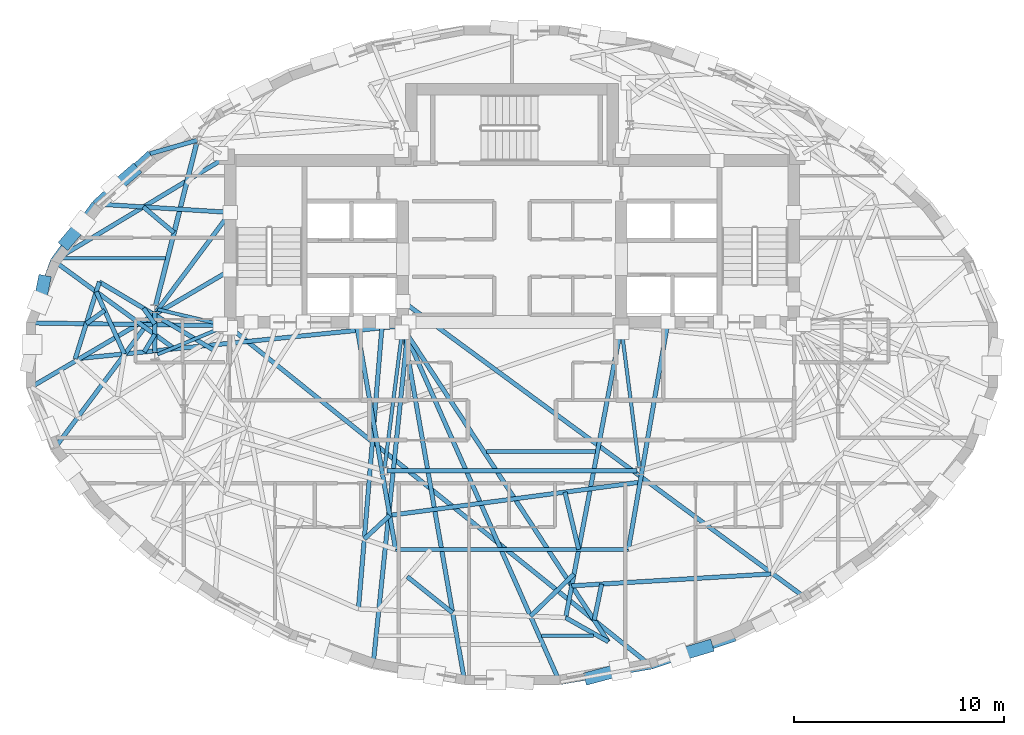
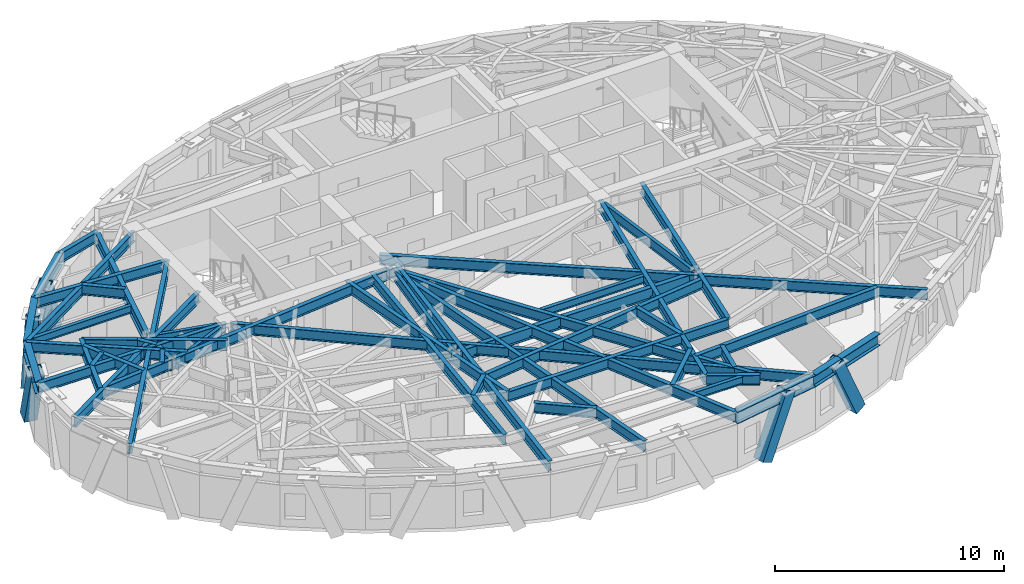
# One storey, part 2 of 13: 49 beams, 5 members.
"""IFC4 building model written with IfcOpenShell, lengths in metres."""

from ifc_helpers import new_model, si_unit, direction, frame, origin, origin_2d, place, context, subcontext, project, spatial, hollow_rectangle, i_section, extrude, material, material_profile, profile_set, type_object, element, save


model = new_model("IFC4")

# Units and contexts
model_context = context("Model", 3, precision=1e-05, world=origin(), true_north=direction((0.0, 1.0)))
body_context = subcontext(model_context, "Body", "Model", "MODEL_VIEW")
ifc_project = project(units=[si_unit("LENGTHUNIT", "METRE"), si_unit("AREAUNIT", "SQUARE_METRE"), si_unit("VOLUMEUNIT", "CUBIC_METRE"), si_unit("PLANEANGLEUNIT", "RADIAN"), si_unit("MASSUNIT", "GRAM", prefix="KILO")], contexts=[model_context])

# Site, building, storey
site_placement = place(None, origin())
site = spatial("IfcSite", under=ifc_project, at=site_placement, CompositionType="ELEMENT")
building_placement = place(site_placement, origin())
building = spatial("IfcBuilding", under=site, at=building_placement, Name="Keldmark Tower", CompositionType="ELEMENT")
storey_placement = place(building_placement, frame((0.0, 0.0, 219.449951171875)))
storey = spatial("IfcBuildingStorey", under=building, at=storey_placement, Name="L61", CompositionType="ELEMENT", Elevation=219.449951171875)

# Beams
ifc_material_1 = material(Name="Steel ASTM A992 Grade 50", Category="steel")
ifc_material_profile_1 = material_profile(ifc_material_1, i_section(OverallWidth=0.177978515625, OverallDepth=0.403076171875, WebThickness=0.007568359375, FlangeThickness=0.010986328125, at=origin_2d()), Name="W16X36")
ifc_profile_set_1 = profile_set([ifc_material_profile_1], Name="Steel ASTM A992 Grade 50")
beam_type_1 = type_object("IfcBeamType", Name="Composite Floor Joist W16X36", PredefinedType="JOIST", material=ifc_profile_set_1)
beam_1_placement = place(storey_placement, frame((1.40234375, -13.3798828125, 2.7685546875), z_axis=(1.0, 0.0, 0.0), x_axis=(0.0, 1.0, 0.0)))
element("IfcBeam", 1, at=beam_1_placement, inside=storey, type_object=beam_type_1, Name="L61 Composite Floor Joist J03", PredefinedType="JOIST", context=body_context, shape_type="SweptSolid", body=[
    extrude(i_section(OverallWidth=0.177978515625, OverallDepth=0.403076171875, WebThickness=0.007568359375, FlangeThickness=0.010986328125, at=origin_2d()), origin(), (0.0, 0.0, 1.0), 2.484375),
])
beam_2_placement = place(storey_placement, frame((-1.223876953125, -4.60009765625, 2.7685546875), z_axis=(1.0, 0.0, 0.0), x_axis=(0.0, 1.0, 0.0)))
element("IfcBeam", 2, at=beam_2_placement, inside=storey, type_object=beam_type_1, Name="L61 Composite Floor Joist J06", PredefinedType="JOIST", context=body_context, shape_type="SweptSolid", body=[
    extrude(i_section(OverallWidth=0.177978515625, OverallDepth=0.403076171875, WebThickness=0.007568359375, FlangeThickness=0.010986328125, at=origin_2d()), origin(), (0.0, 0.0, 1.0), 5.197998046875),
])
beam_3_placement = place(storey_placement, frame((-21.4375, 4.6201171875, 2.7685546875), z_axis=(1.0, 0.0, 0.0), x_axis=(0.0, 1.0, 0.0)))
element("IfcBeam", 3, at=beam_3_placement, inside=storey, type_object=beam_type_1, Name="L61 Composite Floor Joist J07", PredefinedType="JOIST", context=body_context, shape_type="SweptSolid", body=[
    extrude(i_section(OverallWidth=0.177978515625, OverallDepth=0.403076171875, WebThickness=0.007568359375, FlangeThickness=0.010986328125, at=origin_2d()), origin(), (0.0, 0.0, 1.0), 4.91259765625),
])

# Members
ifc_material_2 = material(Name="Steel ASTM A572 Grade 50", Category="steel")
ifc_material_profile_2 = material_profile(ifc_material_2, hollow_rectangle(XDim=0.60009765625, YDim=0.60009765625, WallThickness=0.034912109375, at=origin_2d()), Name="BOX600X600X35")
ifc_profile_set_2 = profile_set([ifc_material_profile_2], Name="Steel ASTM A572 Grade 50")
member_type = type_object("IfcMemberType", Name="Diagrid Zone 4 Brace BOX600X600X35", PredefinedType="BRACE", material=ifc_profile_set_2)
member_1_placement = place(storey_placement, frame((-18.051513671875, 8.747802734375, -0.260009765625), z_axis=(-0.271056056456, -0.234783348171, 0.933490971397), x_axis=(0.654720463348, -0.755871096731, 0.0)))
element("IfcMember", 4, at=member_1_placement, inside=storey, type_object=member_type, Name="L61 Perimeter Diagrid Brace 07A", PredefinedType="BRACE", context=body_context, shape_type="SweptSolid", body=[
    extrude(hollow_rectangle(XDim=0.60009765625, YDim=0.60009765625, WallThickness=0.034912109375, at=origin_2d()), origin(), (0.0, 0.0, 1.0), 3.331787109375),
])
member_2_placement = place(storey_placement, frame((-21.226318359375, 5.389404296875, -0.260009765625), z_axis=(0.225555592394, 0.266164427033, 0.93716656605), x_axis=(-0.762906177168, 0.646509214814, 0.0)))
element("IfcMember", 5, at=member_2_placement, inside=storey, type_object=member_type, Name="L61 Perimeter Diagrid Brace 07B", PredefinedType="BRACE", context=body_context, shape_type="SweptSolid", body=[
    extrude(hollow_rectangle(XDim=0.60009765625, YDim=0.60009765625, WallThickness=0.034912109375, at=origin_2d()), origin(), (0.0, 0.0, 1.0), 3.318603515625),
])
member_3_placement = place(storey_placement, frame((-22.309326171875, 3.51171875, -0.260009765625), z_axis=(-0.06184838902, -0.308347751522, 0.949260997254), x_axis=(0.980471164817, -0.196662896761, 0.0)))
element("IfcMember", 6, at=member_3_placement, inside=storey, type_object=member_type, Name="L61 Perimeter Diagrid Brace 08A", PredefinedType="BRACE", context=body_context, shape_type="SweptSolid", body=[
    extrude(hollow_rectangle(XDim=0.60009765625, YDim=0.60009765625, WallThickness=0.034912109375, at=origin_2d()), origin(), (0.0, 0.0, 1.0), 3.2763671875),
])
member_4_placement = place(storey_placement, frame((3.736328125, -15.37841796875, -0.260009765625), z_axis=(0.414603232575, 0.110192136724, 0.903306068031), x_axis=(-0.256860118169, 0.966448591335, 0.0)))
element("IfcMember", 7, at=member_4_placement, inside=storey, type_object=member_type, Name="L61 Perimeter Diagrid Brace 13A", PredefinedType="BRACE", context=body_context, shape_type="SweptSolid", body=[
    extrude(hollow_rectangle(XDim=0.60009765625, YDim=0.60009765625, WallThickness=0.034912109375, at=origin_2d()), origin(), (0.0, 0.0, 1.0), 3.443115234375),
])
member_5_placement = place(storey_placement, frame((9.294189453125, -13.905517578125, -0.260009765625), z_axis=(-0.396238921214, -0.11842855203, 0.910477564457), x_axis=(0.286364714613, -0.95812068667, 0.0)))
element("IfcMember", 8, at=member_5_placement, inside=storey, type_object=member_type, Name="L61 Perimeter Diagrid Brace 13B", PredefinedType="BRACE", context=body_context, shape_type="SweptSolid", body=[
    extrude(hollow_rectangle(XDim=0.60009765625, YDim=0.60009765625, WallThickness=0.034912109375, at=origin_2d()), origin(), (0.0, 0.0, 1.0), 3.416015625),
])

# Beams
ifc_material_3 = material(Name="Steel ASTM A992 Grade 50", Category="steel")
ifc_material_profile_3 = material_profile(ifc_material_3, i_section(OverallWidth=0.22802734375, OverallDepth=0.60302734375, WebThickness=0.010498046875, FlangeThickness=0.014892578125, at=origin_2d()), Name="W24X68")
ifc_profile_set_3 = profile_set([ifc_material_profile_3], Name="Steel ASTM A992 Grade 50")
beam_type_2 = type_object("IfcBeamType", Name="Primary Floor Girder W24X68", PredefinedType="BEAM", material=ifc_profile_set_3)
beam_4_placement = place(storey_placement, frame((-15.030029296875, 10.10791015625, 2.66845703125), z_axis=(-0.244902129455, -0.969547805417, 0.0), x_axis=(0.969547805417, -0.244902129455, 0.0)))
element("IfcBeam", 9, at=beam_4_placement, inside=storey, type_object=beam_type_2, Name="L61 Floor Ring Girder FG-R05", PredefinedType="BEAM", context=body_context, shape_type="SweptSolid", body=[
    extrude(i_section(OverallWidth=0.22802734375, OverallDepth=0.60302734375, WebThickness=0.010498046875, FlangeThickness=0.014892578125, at=origin_2d()), origin(), (0.0, 0.0, 1.0), 8.008056640625),
])
beam_5_placement = place(storey_placement, frame((-17.025634765625, 2.068115234375, 2.66845703125), z_axis=(0.0, -1.0, 0.0), x_axis=(1.0, 0.0, 0.0)))
element("IfcBeam", 10, at=beam_5_placement, inside=storey, type_object=beam_type_2, Name="L61 Floor Ring Girder FG-R06", PredefinedType="BEAM", context=body_context, shape_type="SweptSolid", body=[
    extrude(i_section(OverallWidth=0.22802734375, OverallDepth=0.60302734375, WebThickness=0.010498046875, FlangeThickness=0.014892578125, at=origin_2d()), origin(), (0.0, 0.0, 1.0), 1.9521484375),
])
beam_6_placement = place(storey_placement, frame((-5.949462890625, -5.512939453125, 2.66845703125), z_axis=(1.0, 0.0, 0.0), x_axis=(0.0, 1.0, 0.0)))
element("IfcBeam", 11, at=beam_6_placement, inside=storey, type_object=beam_type_2, Name="L61 Floor Ring Girder FG-R09", PredefinedType="BEAM", context=body_context, shape_type="SweptSolid", body=[
    extrude(i_section(OverallWidth=0.22802734375, OverallDepth=0.60302734375, WebThickness=0.010498046875, FlangeThickness=0.014892578125, at=origin_2d()), origin(), (0.0, 0.0, 1.0), 11.89892578125),
])
ifc_material_4 = material(Name="Steel ASTM A992 Grade 50", Category="steel")
ifc_material_profile_4 = material_profile(ifc_material_4, i_section(OverallWidth=0.166015625, OverallDepth=0.529052734375, WebThickness=0.009765625, FlangeThickness=0.013671875, at=origin_2d()), Name="W21X50")
ifc_profile_set_4 = profile_set([ifc_material_profile_4], Name="Steel ASTM A992 Grade 50")
beam_type_3 = type_object("IfcBeamType", Name="Radial Tie Girder W21X50", PredefinedType="BEAM", material=ifc_profile_set_4)
beam_7_placement = place(storey_placement, frame((-16.889404296875, 2.17578125, 2.70556640625), z_axis=(0.97329039005, -0.229577474147, 0.0), x_axis=(0.229577474147, 0.97329039005, 0.0)))
element("IfcBeam", 12, at=beam_7_placement, inside=storey, type_object=beam_type_3, Name="L61 Floor Radial Girder FG-C06", PredefinedType="BEAM", context=body_context, shape_type="SweptSolid", body=[
    extrude(i_section(OverallWidth=0.166015625, OverallDepth=0.529052734375, WebThickness=0.009765625, FlangeThickness=0.013671875, at=origin_2d()), origin(), (0.0, 0.0, 1.0), 3.0595703125),
])
beam_8_placement = place(storey_placement, frame((-16.896240234375, 0.02978515625, 2.70556640625), z_axis=(0.923403331902, 0.383831065226, 0.0), x_axis=(-0.383831065226, 0.923403331902, 0.0)))
element("IfcBeam", 13, at=beam_8_placement, inside=storey, type_object=beam_type_3, Name="L61 Floor Radial Girder FG-C07", PredefinedType="BEAM", context=body_context, shape_type="SweptSolid", body=[
    extrude(i_section(OverallWidth=0.166015625, OverallDepth=0.529052734375, WebThickness=0.009765625, FlangeThickness=0.013671875, at=origin_2d()), origin(), (0.0, 0.0, 1.0), 3.249755859375),
])
for number, where, z_axis, x_axis, name in (
    (14, (-6.071533203125, -5.3740234375, 2.70556640625), (0.127625044513, 0.991822488157, 0.0), (-0.991822488157, 0.127625044513, 0.0), "L61 Floor Radial Girder FG-C09"),
    (15, (6.071533203125, -5.3740234375, 2.70556640625), (-0.127625044513, 0.991822488157, 0.0), (-0.991822488157, -0.127625044513, 0.0), "L61 Floor Radial Girder FG-C10"),
):
    element("IfcBeam", number, at=place(storey_placement, frame(where, z_axis=z_axis, x_axis=x_axis)), inside=storey, type_object=beam_type_3, Name=name, PredefinedType="BEAM", context=body_context, shape_type="SweptSolid", body=[
        extrude(i_section(OverallWidth=0.166015625, OverallDepth=0.529052734375, WebThickness=0.009765625, FlangeThickness=0.013671875, at=origin_2d()), origin(), (0.0, 0.0, 1.0), 6.509765625),
    ])
ifc_material_5 = material(Name="Steel ASTM A992 Grade 50", Category="steel")
ifc_material_profile_5 = material_profile(ifc_material_5, i_section(OverallWidth=0.2099609375, OverallDepth=0.537109375, WebThickness=0.010986328125, FlangeThickness=0.017333984375, at=origin_2d()), Name="W21X68")
ifc_profile_set_5 = profile_set([ifc_material_profile_5], Name="Steel ASTM A992 Grade 50")
beam_type_4 = type_object("IfcBeamType", Name="Radial Tie Girder W21X68", PredefinedType="BEAM", material=ifc_profile_set_5)
beam_9_placement = place(storey_placement, frame((-17.025634765625, 0.994384765625, 2.70166015625), z_axis=(-0.512445675076, -0.858719645807, 0.0), x_axis=(0.858719645807, -0.512445675076, 0.0)))
element("IfcBeam", 16, at=beam_9_placement, inside=storey, type_object=beam_type_4, Name="L61 Framing Pin Header PH-001", PredefinedType="BEAM", context=body_context, shape_type="SweptSolid", body=[
    extrude(i_section(OverallWidth=0.2099609375, OverallDepth=0.537109375, WebThickness=0.010986328125, FlangeThickness=0.017333984375, at=origin_2d()), origin(), (0.0, 0.0, 1.0), 0.9814453125),
])
beam_10_placement = place(storey_placement, frame((-5.199951171875, 1.39990234375, 2.70166015625), z_axis=(-0.994912802677, -0.100739838538, 0.0), x_axis=(0.100739838538, -0.994912802677, 0.0)))
element("IfcBeam", 17, at=beam_10_placement, inside=storey, type_object=beam_type_4, Name="L61 Sub-Ring Step Girder STP1-M07", PredefinedType="BEAM", context=body_context, shape_type="SweptSolid", body=[
    extrude(i_section(OverallWidth=0.2099609375, OverallDepth=0.537109375, WebThickness=0.010986328125, FlangeThickness=0.017333984375, at=origin_2d()), origin(), (0.0, 0.0, 1.0), 15.70166015625),
])
beam_11_placement = place(storey_placement, frame((-7.43212890625, 1.574951171875, 2.70166015625), z_axis=(0.171197930149, -0.985236656196, 0.0), x_axis=(0.985236656196, 0.171197930149, 0.0)))
element("IfcBeam", 18, at=beam_11_placement, inside=storey, type_object=beam_type_4, Name="L61 Sub-Ring Step Girder STP1-M09", PredefinedType="BEAM", context=body_context, shape_type="SweptSolid", body=[
    extrude(i_section(OverallWidth=0.2099609375, OverallDepth=0.537109375, WebThickness=0.010986328125, FlangeThickness=0.017333984375, at=origin_2d()), origin(), (0.0, 0.0, 1.0), 11.0048828125),
])
beam_12_placement = place(storey_placement, frame((-5.830810546875, -7.64111328125, 2.70166015625), z_axis=(0.991325730734, 0.131427910223, 0.0), x_axis=(-0.131427910223, 0.991325730734, 0.0)))
element("IfcBeam", 19, at=beam_12_placement, inside=storey, type_object=beam_type_4, Name="L61 Framing Pin Header PH-004", PredefinedType="BEAM", context=body_context, shape_type="SweptSolid", body=[
    extrude(i_section(OverallWidth=0.2099609375, OverallDepth=0.537109375, WebThickness=0.010986328125, FlangeThickness=0.017333984375, at=origin_2d()), origin(), (0.0, 0.0, 1.0), 12.041015625),
])
beam_13_placement = place(storey_placement, frame((7.43212890625, 1.574951171875, 2.70166015625), z_axis=(-0.171197930149, -0.985236656196, 0.0), x_axis=(0.985236656196, -0.171197930149, 0.0)))
element("IfcBeam", 20, at=beam_13_placement, inside=storey, type_object=beam_type_4, Name="L61 Sub-Ring Step Girder STP1-M10", PredefinedType="BEAM", context=body_context, shape_type="SweptSolid", body=[
    extrude(i_section(OverallWidth=0.2099609375, OverallDepth=0.537109375, WebThickness=0.010986328125, FlangeThickness=0.017333984375, at=origin_2d()), origin(), (0.0, 0.0, 1.0), 11.0048828125),
])
beam_14_placement = place(storey_placement, frame((-5.548095703125, -9.267578125, 2.70166015625), z_axis=(1.0, 0.0, 0.0), x_axis=(0.0, 1.0, 0.0)))
element("IfcBeam", 21, at=beam_14_placement, inside=storey, type_object=beam_type_4, Name="L61 Perimeter Collector Ring Beam CRG1-M09", PredefinedType="BEAM", context=body_context, shape_type="SweptSolid", body=[
    extrude(i_section(OverallWidth=0.2099609375, OverallDepth=0.537109375, WebThickness=0.010986328125, FlangeThickness=0.017333984375, at=origin_2d()), origin(), (0.0, 0.0, 1.0), 11.09619140625),
])
beam_15_placement = place(storey_placement, frame((-5.830810546875, -7.64111328125, 2.70166015625), z_axis=(-0.731143461262, -0.682223745595, 0.0), x_axis=(0.682223745595, -0.731143461262, 0.0)))
element("IfcBeam", 22, at=beam_15_placement, inside=storey, type_object=beam_type_4, Name="L61 Framing Pin Header PH-009", PredefinedType="BEAM", context=body_context, shape_type="SweptSolid", body=[
    extrude(i_section(OverallWidth=0.2099609375, OverallDepth=0.537109375, WebThickness=0.010986328125, FlangeThickness=0.017333984375, at=origin_2d()), origin(), (0.0, 0.0, 1.0), 1.656982421875),
])
beam_16_placement = place(storey_placement, frame((-6.1787109375, 1.574951171875, 2.70166015625), z_axis=(-0.083170599419, -0.996535323705, 0.0), x_axis=(0.996535323705, -0.083170599419, 0.0)))
element("IfcBeam", 23, at=beam_16_placement, inside=storey, type_object=beam_type_4, Name="L61 Sub-Ring Step Girder STP2-M09", PredefinedType="BEAM", context=body_context, shape_type="SweptSolid", body=[
    extrude(i_section(OverallWidth=0.2099609375, OverallDepth=0.537109375, WebThickness=0.010986328125, FlangeThickness=0.017333984375, at=origin_2d()), origin(), (0.0, 0.0, 1.0), 13.72607421875),
])
beam_17_placement = place(storey_placement, frame((2.52490234375, -6.533447265625, 2.70166015625), z_axis=(0.232899978698, -0.972500694047, 0.0), x_axis=(0.972500694047, 0.232899978698, 0.0)))
element("IfcBeam", 24, at=beam_17_placement, inside=storey, type_object=beam_type_4, Name="L61 Framing Pin Header PH-010", PredefinedType="BEAM", context=body_context, shape_type="SweptSolid", body=[
    extrude(i_section(OverallWidth=0.2099609375, OverallDepth=0.537109375, WebThickness=0.010986328125, FlangeThickness=0.017333984375, at=origin_2d()), origin(), (0.0, 0.0, 1.0), 2.8115234375),
])
beam_18_placement = place(storey_placement, frame((5.199951171875, 1.300048828125, 2.70166015625), z_axis=(-0.187775561087, -0.982211962185, 0.0), x_axis=(0.982211962185, -0.187775561087, 0.0)))
element("IfcBeam", 25, at=beam_18_placement, inside=storey, type_object=beam_type_4, Name="L61 Sub-Ring Step Girder STP2-M10", PredefinedType="BEAM", context=body_context, shape_type="SweptSolid", body=[
    extrude(i_section(OverallWidth=0.2099609375, OverallDepth=0.537109375, WebThickness=0.010986328125, FlangeThickness=0.017333984375, at=origin_2d()), origin(), (0.0, 0.0, 1.0), 14.06787109375),
])
beam_19_placement = place(storey_placement, frame((-14.995849609375, 10.24365234375, 2.70166015625), z_axis=(-0.961618236032, -0.274390903879, 0.0), x_axis=(0.274390903879, -0.961618236032, 0.0)))
element("IfcBeam", 26, at=beam_19_placement, inside=storey, type_object=beam_type_4, Name="L61 Perimeter Column Bracket RT-13", PredefinedType="BEAM", context=body_context, shape_type="SweptSolid", body=[
    extrude(i_section(OverallWidth=0.2099609375, OverallDepth=0.537109375, WebThickness=0.010986328125, FlangeThickness=0.017333984375, at=origin_2d()), origin(), (0.0, 0.0, 1.0), 2.343505859375),
])
beam_20_placement = place(storey_placement, frame((-17.025634765625, 1.482421875, 2.70166015625), z_axis=(-0.584990824142, 0.811039910035, 0.0), x_axis=(-0.811039910035, -0.584990824142, 0.0)))
element("IfcBeam", 27, at=beam_20_placement, inside=storey, type_object=beam_type_4, Name="L61 Framing Pin Header PH-018", PredefinedType="BEAM", context=body_context, shape_type="SweptSolid", body=[
    extrude(i_section(OverallWidth=0.2099609375, OverallDepth=0.537109375, WebThickness=0.010986328125, FlangeThickness=0.017333984375, at=origin_2d()), origin(), (0.0, 0.0, 1.0), 0.927734375),
])
beam_21_placement = place(storey_placement, frame((-14.197021484375, 0.225341796875, 2.70166015625), z_axis=(-0.858976786829, 0.51201453074, 0.0), x_axis=(-0.51201453074, -0.858976786829, 0.0)))
element("IfcBeam", 28, at=beam_21_placement, inside=storey, type_object=beam_type_4, Name="L61 Intermediate Radial Step Girder RT-15M", PredefinedType="BEAM", context=body_context, shape_type="SweptSolid", body=[
    extrude(i_section(OverallWidth=0.2099609375, OverallDepth=0.537109375, WebThickness=0.010986328125, FlangeThickness=0.017333984375, at=origin_2d()), origin(), (0.0, 0.0, 1.0), 6.372314453125),
])
beam_22_placement = place(storey_placement, frame((-20.82177734375, -0.181884765625, 2.70166015625), z_axis=(0.299286818667, 0.954163193679, 0.0), x_axis=(-0.954163193679, 0.299286818667, 0.0)))
element("IfcBeam", 29, at=beam_22_placement, inside=storey, type_object=beam_type_4, Name="L61 Local Collector Chord RT-15C", PredefinedType="BEAM", context=body_context, shape_type="SweptSolid", body=[
    extrude(i_section(OverallWidth=0.2099609375, OverallDepth=0.537109375, WebThickness=0.010986328125, FlangeThickness=0.017333984375, at=origin_2d()), origin(), (0.0, 0.0, 1.0), 3.84619140625),
])
beam_23_placement = place(storey_placement, frame((-18.478515625, 0.055419921875, 2.70166015625), z_axis=(-0.411856244277, 0.911248832125, 0.0), x_axis=(-0.911248832125, -0.411856244277, 0.0)))
element("IfcBeam", 30, at=beam_23_placement, inside=storey, type_object=beam_type_4, Name="L61 Framing Pin Header PH-019", PredefinedType="BEAM", context=body_context, shape_type="SweptSolid", body=[
    extrude(i_section(OverallWidth=0.2099609375, OverallDepth=0.537109375, WebThickness=0.010986328125, FlangeThickness=0.017333984375, at=origin_2d()), origin(), (0.0, 0.0, 1.0), 3.251953125),
])
beam_24_placement = place(storey_placement, frame((-16.14599609375, 0.341552734375, 2.70166015625), z_axis=(-0.808022306103, 0.589151892842, 0.0), x_axis=(-0.589151892842, -0.808022306103, 0.0)))
element("IfcBeam", 31, at=beam_24_placement, inside=storey, type_object=beam_type_4, Name="L61 Perimeter Radial Tie Girder RT-15", PredefinedType="BEAM", context=body_context, shape_type="SweptSolid", body=[
    extrude(i_section(OverallWidth=0.2099609375, OverallDepth=0.537109375, WebThickness=0.010986328125, FlangeThickness=0.017333984375, at=origin_2d()), origin(), (0.0, 0.0, 1.0), 7.04638671875),
])
beam_25_placement = place(storey_placement, frame((-19.416015625, 2.1298828125, 2.70166015625), z_axis=(-0.810774132019, -0.585359126391, 0.0), x_axis=(0.585359126391, -0.810774132019, 0.0)))
element("IfcBeam", 32, at=beam_25_placement, inside=storey, type_object=beam_type_4, Name="L61 Framing Pin Header PH-020", PredefinedType="BEAM", context=body_context, shape_type="SweptSolid", body=[
    extrude(i_section(OverallWidth=0.2099609375, OverallDepth=0.537109375, WebThickness=0.010986328125, FlangeThickness=0.017333984375, at=origin_2d()), origin(), (0.0, 0.0, 1.0), 1.085205078125),
])
beam_26_placement = place(storey_placement, frame((-13.60009765625, 1.39990234375, 2.70166015625), z_axis=(-0.999899897417, 0.014149033388, 0.0), x_axis=(-0.014149033388, -0.999899897417, 0.0)))
element("IfcBeam", 33, at=beam_26_placement, inside=storey, type_object=beam_type_4, Name="L61 Perimeter Radial Tie Girder RT-16", PredefinedType="BEAM", context=body_context, shape_type="SweptSolid", body=[
    extrude(i_section(OverallWidth=0.2099609375, OverallDepth=0.537109375, WebThickness=0.010986328125, FlangeThickness=0.017333984375, at=origin_2d()), origin(), (0.0, 0.0, 1.0), 9.3349609375),
])
beam_27_placement = place(storey_placement, frame((-13.425048828125, 4.050048828125, 2.70166015625), z_axis=(-0.862390356943, -0.506243886137, 0.0), x_axis=(0.506243886137, -0.862390356943, 0.0)))
element("IfcBeam", 34, at=beam_27_placement, inside=storey, type_object=beam_type_4, Name="L61 Perimeter Radial Tie Girder RT-17", PredefinedType="BEAM", context=body_context, shape_type="SweptSolid", body=[
    extrude(i_section(OverallWidth=0.2099609375, OverallDepth=0.537109375, WebThickness=0.010986328125, FlangeThickness=0.017333984375, at=origin_2d()), origin(), (0.0, 0.0, 1.0), 11.0263671875),
])
beam_28_placement = place(storey_placement, frame((-13.425048828125, 6.800048828125, 2.70166015625), z_axis=(-0.597489628175, -0.801876639031, 0.0), x_axis=(0.801876639031, -0.597489628175, 0.0)))
element("IfcBeam", 35, at=beam_28_placement, inside=storey, type_object=beam_type_4, Name="L61 Perimeter Radial Tie Girder RT-18", PredefinedType="BEAM", context=body_context, shape_type="SweptSolid", body=[
    extrude(i_section(OverallWidth=0.2099609375, OverallDepth=0.537109375, WebThickness=0.010986328125, FlangeThickness=0.017333984375, at=origin_2d()), origin(), (0.0, 0.0, 1.0), 14.083251953125),
])
beam_29_placement = place(storey_placement, frame((-4.925048828125, 1.574951171875, 2.70166015625), z_axis=(-0.103188861145, -0.994661781178, 0.0), x_axis=(0.994661781178, -0.103188861145, 0.0)))
element("IfcBeam", 36, at=beam_29_placement, inside=storey, type_object=beam_type_4, Name="L61 Perimeter Radial Tie Girder RT-23", PredefinedType="BEAM", context=body_context, shape_type="SweptSolid", body=[
    extrude(i_section(OverallWidth=0.2099609375, OverallDepth=0.537109375, WebThickness=0.010986328125, FlangeThickness=0.017333984375, at=origin_2d()), origin(), (0.0, 0.0, 1.0), 16.47412109375),
])
beam_30_placement = place(storey_placement, frame((-4.992919921875, -10.56201171875, 2.70166015625), z_axis=(0.781238289304, -0.624232917528, 0.0), x_axis=(0.624232917528, 0.781238289304, 0.0)))
element("IfcBeam", 37, at=beam_30_placement, inside=storey, type_object=beam_type_4, Name="L61 Framing Pin Header PH-028", PredefinedType="BEAM", context=body_context, shape_type="SweptSolid", body=[
    extrude(i_section(OverallWidth=0.2099609375, OverallDepth=0.537109375, WebThickness=0.010986328125, FlangeThickness=0.017333984375, at=origin_2d()), origin(), (0.0, 0.0, 1.0), 2.77099609375),
])
beam_31_placement = place(storey_placement, frame((-5.199951171875, 1.300048828125, 2.70166015625), z_axis=(0.171912659424, -0.985112195402, 0.0), x_axis=(0.985112195402, 0.171912659424, 0.0)))
element("IfcBeam", 38, at=beam_31_placement, inside=storey, type_object=beam_type_4, Name="L61 Perimeter Radial Tie Girder RT-24", PredefinedType="BEAM", context=body_context, shape_type="SweptSolid", body=[
    extrude(i_section(OverallWidth=0.2099609375, OverallDepth=0.537109375, WebThickness=0.010986328125, FlangeThickness=0.017333984375, at=origin_2d()), origin(), (0.0, 0.0, 1.0), 17.1083984375),
])
beam_32_placement = place(storey_placement, frame((2.95458984375, -10.44482421875, 2.70166015625), z_axis=(-0.718831645744, -0.695184195071, 0.0), x_axis=(0.695184195071, -0.718831645744, 0.0)))
element("IfcBeam", 39, at=beam_32_placement, inside=storey, type_object=beam_type_4, Name="L61 Framing Pin Header PH-029", PredefinedType="BEAM", context=body_context, shape_type="SweptSolid", body=[
    extrude(i_section(OverallWidth=0.2099609375, OverallDepth=0.537109375, WebThickness=0.010986328125, FlangeThickness=0.017333984375, at=origin_2d()), origin(), (0.0, 0.0, 1.0), 2.88037109375),
])
beam_33_placement = place(storey_placement, frame((-5.199951171875, 1.300048828125, 2.70166015625), z_axis=(0.404696268379, -0.914451163464, 0.0), x_axis=(0.914451163464, 0.404696268379, 0.0)))
element("IfcBeam", 40, at=beam_33_placement, inside=storey, type_object=beam_type_4, Name="L61 Perimeter Radial Tie Girder RT-25", PredefinedType="BEAM", context=body_context, shape_type="SweptSolid", body=[
    extrude(i_section(OverallWidth=0.2099609375, OverallDepth=0.537109375, WebThickness=0.010986328125, FlangeThickness=0.017333984375, at=origin_2d()), origin(), (0.0, 0.0, 1.0), 18.430419921875),
])
beam_34_placement = place(storey_placement, frame((12.35400390625, -10.431884765625, 2.70166015625), z_axis=(-0.998217239413, -0.059685366209, 0.0), x_axis=(0.059685366209, -0.998217239413, 0.0)))
element("IfcBeam", 41, at=beam_34_placement, inside=storey, type_object=beam_type_4, Name="L61 Framing Pin Header PH-030", PredefinedType="BEAM", context=body_context, shape_type="SweptSolid", body=[
    extrude(i_section(OverallWidth=0.2099609375, OverallDepth=0.537109375, WebThickness=0.010986328125, FlangeThickness=0.017333984375, at=origin_2d()), origin(), (0.0, 0.0, 1.0), 9.522705078125),
])
beam_35_placement = place(storey_placement, frame((-5.199951171875, 1.300048828125, 2.70166015625), z_axis=(0.547528145182, -0.836787267012, 0.0), x_axis=(0.836787267012, 0.547528145182, 0.0)))
element("IfcBeam", 42, at=beam_35_placement, inside=storey, type_object=beam_type_4, Name="L61 Intermediate Radial Step Girder RT-26M", PredefinedType="BEAM", context=body_context, shape_type="SweptSolid", body=[
    extrude(i_section(OverallWidth=0.2099609375, OverallDepth=0.537109375, WebThickness=0.010986328125, FlangeThickness=0.017333984375, at=origin_2d()), origin(), (0.0, 0.0, 1.0), 17.883056640625),
])
beam_36_placement = place(storey_placement, frame((2.558349609375, -12.517578125, 2.70166015625), z_axis=(0.871016336248, -0.491254050355, 0.0), x_axis=(0.491254050355, 0.871016336248, 0.0)))
element("IfcBeam", 43, at=beam_36_placement, inside=storey, type_object=beam_type_4, Name="L61 Local Collector Chord RT-26C", PredefinedType="BEAM", context=body_context, shape_type="SweptSolid", body=[
    extrude(i_section(OverallWidth=0.2099609375, OverallDepth=0.537109375, WebThickness=0.010986328125, FlangeThickness=0.017333984375, at=origin_2d()), origin(), (0.0, 0.0, 1.0), 2.334228515625),
])
beam_37_placement = place(storey_placement, frame((4.274169921875, -10.9150390625, 2.70166015625), z_axis=(-0.201613742227, -0.97946510859, 0.0), x_axis=(0.97946510859, -0.201613742227, 0.0)))
element("IfcBeam", 44, at=beam_37_placement, inside=storey, type_object=beam_type_4, Name="L61 Framing Pin Header PH-031", PredefinedType="BEAM", context=body_context, shape_type="SweptSolid", body=[
    extrude(i_section(OverallWidth=0.2099609375, OverallDepth=0.537109375, WebThickness=0.010986328125, FlangeThickness=0.017333984375, at=origin_2d()), origin(), (0.0, 0.0, 1.0), 1.75830078125),
])
beam_38_placement = place(storey_placement, frame((-13.425048828125, 1.300048828125, 2.70166015625), z_axis=(0.779514976338, -0.626383589875, 0.0), x_axis=(0.626383589875, 0.779514976338, 0.0)))
element("IfcBeam", 45, at=beam_38_placement, inside=storey, type_object=beam_type_4, Name="L61 Perimeter Radial Tie Girder RT-26", PredefinedType="BEAM", context=body_context, shape_type="SweptSolid", body=[
    extrude(i_section(OverallWidth=0.2099609375, OverallDepth=0.537109375, WebThickness=0.010986328125, FlangeThickness=0.017333984375, at=origin_2d()), origin(), (0.0, 0.0, 1.0), 25.72119140625),
])
beam_39_placement = place(storey_placement, frame((-5.199951171875, 2.550048828125, 2.70166015625), z_axis=(0.805336075656, -0.592818526404, 0.0), x_axis=(0.592818526404, 0.805336075656, 0.0)))
element("IfcBeam", 46, at=beam_39_placement, inside=storey, type_object=beam_type_4, Name="L61 Perimeter Radial Tie Girder RT-28", PredefinedType="BEAM", context=body_context, shape_type="SweptSolid", body=[
    extrude(i_section(OverallWidth=0.2099609375, OverallDepth=0.537109375, WebThickness=0.010986328125, FlangeThickness=0.017333984375, at=origin_2d()), origin(), (0.0, 0.0, 1.0), 24.03515625),
])
beam_40_placement = place(storey_placement, frame((-13.60009765625, 9.449951171875, 2.70166015625), z_axis=(-0.856880724125, -0.515514718144, 0.0), x_axis=(0.515514718144, -0.856880724125, 0.0)))
element("IfcBeam", 47, at=beam_40_placement, inside=storey, type_object=beam_type_4, Name="L61 Straddling Support Chord RT-14RB", PredefinedType="BEAM", context=body_context, shape_type="SweptSolid", body=[
    extrude(i_section(OverallWidth=0.2099609375, OverallDepth=0.537109375, WebThickness=0.010986328125, FlangeThickness=0.017333984375, at=origin_2d()), origin(), (0.0, 0.0, 1.0), 9.61572265625),
])
beam_41_placement = place(storey_placement, frame((-16.10888671875, 5.837646484375, 2.70166015625), z_axis=(-0.767286469406, 0.64130450947, 0.0), x_axis=(-0.64130450947, -0.767286469406, 0.0)))
element("IfcBeam", 48, at=beam_41_placement, inside=storey, type_object=beam_type_4, Name="L61 Framing Pin Header PH-041", PredefinedType="BEAM", context=body_context, shape_type="SweptSolid", body=[
    extrude(i_section(OverallWidth=0.2099609375, OverallDepth=0.537109375, WebThickness=0.010986328125, FlangeThickness=0.017333984375, at=origin_2d()), origin(), (0.0, 0.0, 1.0), 1.906982421875),
])
beam_42_placement = place(storey_placement, frame((-13.425048828125, 6.800048828125, 2.70166015625), z_axis=(-0.998035051079, 0.062658094598, 0.0), x_axis=(-0.062658094598, -0.998035051079, 0.0)))
element("IfcBeam", 49, at=beam_42_placement, inside=storey, type_object=beam_type_4, Name="L61 Perimeter Radial Tie Girder RT-14R", PredefinedType="BEAM", context=body_context, shape_type="SweptSolid", body=[
    extrude(i_section(OverallWidth=0.2099609375, OverallDepth=0.537109375, WebThickness=0.010986328125, FlangeThickness=0.017333984375, at=origin_2d()), origin(), (0.0, 0.0, 1.0), 6.464111328125),
])
ifc_material_6 = material(Name="Steel ASTM A992 Grade 50", Category="steel")
ifc_material_profile_6 = material_profile(ifc_material_6, i_section(OverallWidth=0.326904296875, OverallDepth=0.6220703125, WebThickness=0.015380859375, FlangeThickness=0.0244140625, at=origin_2d()), Name="W24X131")
ifc_profile_set_6 = profile_set([ifc_material_profile_6], Name="Steel ASTM A992 Grade 50")
beam_type_5 = type_object("IfcBeamType", Name="Spandrel Ring Beam W24X131", PredefinedType="SPANDREL", material=ifc_profile_set_6)
beam_43_placement = place(storey_placement, frame((-17.24951171875, 9.6005859375, 2.658935546875), z_axis=(-0.738907573949, -0.673806795129, 0.0), x_axis=(0.673806795129, -0.738907573949, 0.0)))
element("IfcBeam", 50, at=beam_43_placement, inside=storey, type_object=beam_type_5, Name="L61 Perimeter Spandrel Ring Beam SRB-13", PredefinedType="SPANDREL", context=body_context, shape_type="SweptSolid", body=[
    extrude(i_section(OverallWidth=0.326904296875, OverallDepth=0.6220703125, WebThickness=0.015380859375, FlangeThickness=0.0244140625, at=origin_2d()), origin(), (0.0, 0.0, 1.0), 3.55517578125),
])
beam_44_placement = place(storey_placement, frame((-19.87646484375, 7.205078125, 2.658935546875), z_axis=(-0.586344849721, -0.810061551492, 0.0), x_axis=(0.810061551492, -0.586344849721, 0.0)))
element("IfcBeam", 51, at=beam_44_placement, inside=storey, type_object=beam_type_5, Name="L61 Perimeter Spandrel Ring Beam SRB-14", PredefinedType="SPANDREL", context=body_context, shape_type="SweptSolid", body=[
    extrude(i_section(OverallWidth=0.326904296875, OverallDepth=0.6220703125, WebThickness=0.015380859375, FlangeThickness=0.0244140625, at=origin_2d()), origin(), (0.0, 0.0, 1.0), 3.34814453125),
])
beam_45_placement = place(storey_placement, frame((-21.839599609375, 4.492919921875, 2.658935546875), z_axis=(-0.346712268846, -0.937971536152, 0.0), x_axis=(0.937971536152, -0.346712268846, 0.0)))
element("IfcBeam", 52, at=beam_45_placement, inside=storey, type_object=beam_type_5, Name="L61 Perimeter Spandrel Ring Beam SRB-15", PredefinedType="SPANDREL", context=body_context, shape_type="SweptSolid", body=[
    extrude(i_section(OverallWidth=0.326904296875, OverallDepth=0.6220703125, WebThickness=0.015380859375, FlangeThickness=0.0244140625, at=origin_2d()), origin(), (0.0, 0.0, 1.0), 3.15673828125),
])
beam_46_placement = place(storey_placement, frame((2.2587890625, -15.5537109375, 2.658935546875), z_axis=(0.985849288176, 0.16763406874, 0.0), x_axis=(-0.16763406874, 0.985849288176, 0.0)))
element("IfcBeam", 53, at=beam_46_placement, inside=storey, type_object=beam_type_5, Name="L61 Perimeter Spandrel Ring Beam SRB-25", PredefinedType="SPANDREL", context=body_context, shape_type="SweptSolid", body=[
    extrude(i_section(OverallWidth=0.326904296875, OverallDepth=0.6220703125, WebThickness=0.015380859375, FlangeThickness=0.0244140625, at=origin_2d()), origin(), (0.0, 0.0, 1.0), 4.428955078125),
])
beam_47_placement = place(storey_placement, frame((6.625, -14.811279296875, 2.658935546875), z_axis=(0.948810648135, 0.315845459024, 0.0), x_axis=(-0.315845459024, 0.948810648135, 0.0)))
element("IfcBeam", 54, at=beam_47_placement, inside=storey, type_object=beam_type_5, Name="L61 Perimeter Spandrel Ring Beam SRB-26", PredefinedType="SPANDREL", context=body_context, shape_type="SweptSolid", body=[
    extrude(i_section(OverallWidth=0.326904296875, OverallDepth=0.6220703125, WebThickness=0.015380859375, FlangeThickness=0.0244140625, at=origin_2d()), origin(), (0.0, 0.0, 1.0), 4.215087890625),
])

save(model, "model.ifc")
